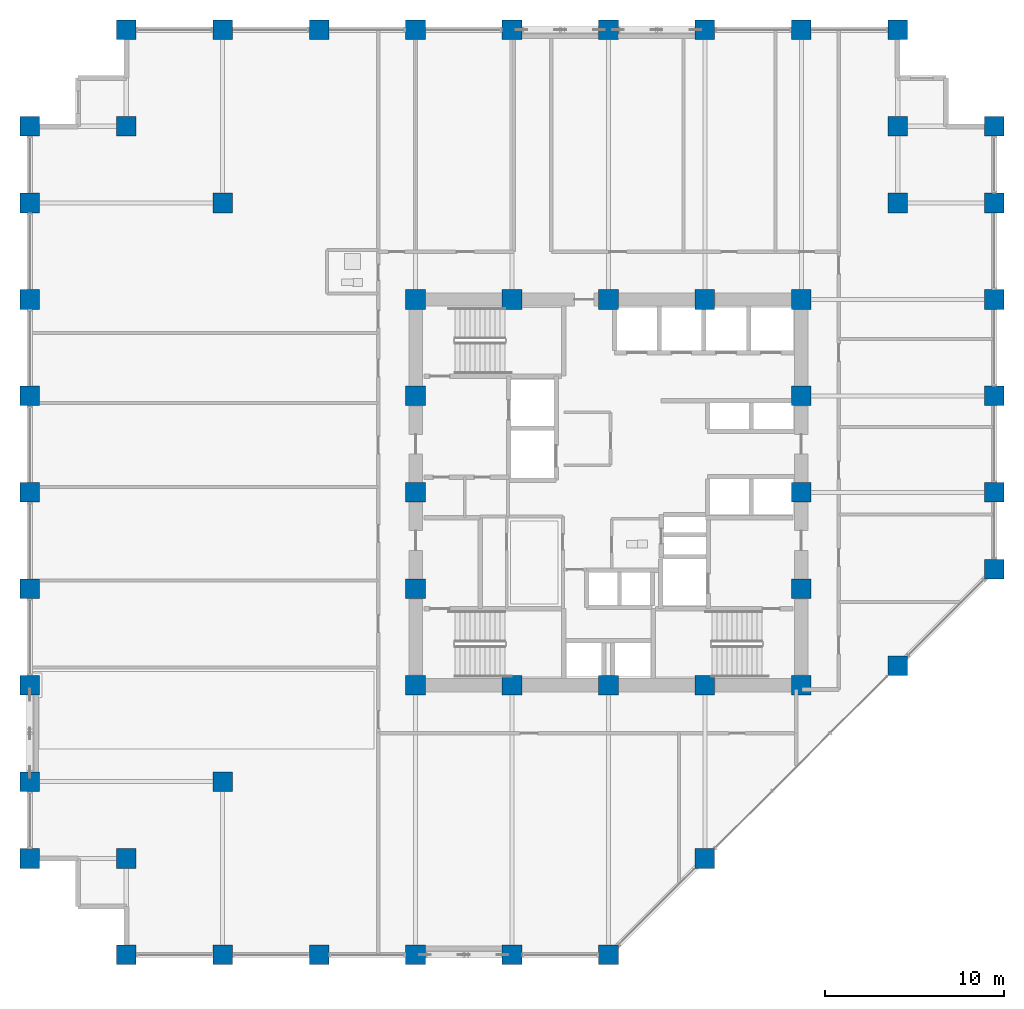
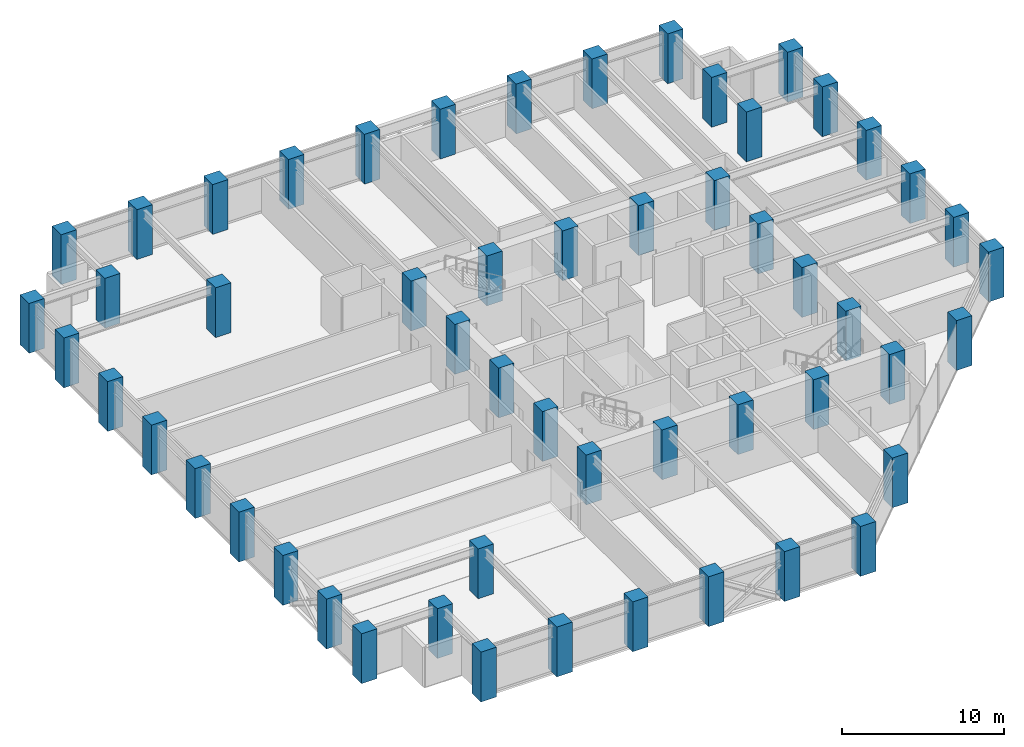
# One storey, part 1 of 25: 54 columns.
"""IFC4 building model written with IfcOpenShell, lengths in metres."""

from ifc_helpers import new_model, si_unit, direction, frame, origin, origin_2d, place, context, subcontext, project, spatial, rectangle, extrude, material, material_profile, profile_set, type_object, element, save


model = new_model("IFC4")

# Units and contexts
model_context = context("Model", 3, precision=1e-05, world=origin(), true_north=direction((0.0, 1.0)))
body_context = subcontext(model_context, "Body", "Model", "MODEL_VIEW")
ifc_project = project(units=[si_unit("LENGTHUNIT", "METRE"), si_unit("AREAUNIT", "SQUARE_METRE"), si_unit("VOLUMEUNIT", "CUBIC_METRE"), si_unit("PLANEANGLEUNIT", "RADIAN"), si_unit("MASSUNIT", "GRAM", prefix="KILO")], contexts=[model_context])

# Site, building, storey
site_placement = place(None, origin())
site = spatial("IfcSite", under=ifc_project, at=site_placement, CompositionType="ELEMENT")
building_placement = place(site_placement, origin())
building = spatial("IfcBuilding", under=site, at=building_placement, Name="Surkhivell Harbour Commons", CompositionType="ELEMENT")
storey_placement = place(building_placement, frame((0.0, 0.0, 109.5)))
storey = spatial("IfcBuildingStorey", under=building, at=storey_placement, Name="L28", CompositionType="ELEMENT", Elevation=109.5)

# Columns
ifc_material = material(Name="Concrete C60/75", Category="concrete")
ifc_material_profile = material_profile(ifc_material, rectangle(XDim=1.10009765625, YDim=1.10009765625, at=origin_2d()), Name="RC-COL-1100x1100")
ifc_profile_set = profile_set([ifc_material_profile], Name="Concrete C60/75")
column_type = type_object("IfcColumnType", Name="COL-TUBE-Z2A", PredefinedType="COLUMN", material=ifc_profile_set)
for number, where, z_axis, x_axis, name in (
    (1, (-32.39990234375, -20.5, 0.0), (0.0, 0.0, 1.0), (1.0, 0.0, 0.0), "L28 Column CT-2A (-32.4,-20.5)"),
    (2, (-32.39990234375, -16.199951171875, 0.0), (0.0, 0.0, 1.0), (1.0, 0.0, 0.0), "L28 Column CT-2A (-32.4,-16.2)"),
    (3, (-32.39990234375, -10.800048828125, 0.0), (0.0, 0.0, 1.0), (1.0, 0.0, 0.0), "L28 Column CT-2A (-32.4,-10.8)"),
    (4, (-32.39990234375, -5.39990234375, 0.0), (0.0, 0.0, 1.0), (1.0, 0.0, 0.0), "L28 Column CT-2A (-32.4,-5.4)"),
    (5, (-32.39990234375, 0.0, 0.0), (0.0, 0.0, 1.0), (1.0, 0.0, 0.0), "L28 Column CT-2A (-32.4,0.0)"),
    (6, (-32.39990234375, 5.39990234375, 0.0), (0.0, 0.0, 1.0), (1.0, 0.0, 0.0), "L28 Column CT-2A (-32.4,5.4)"),
    (7, (-32.39990234375, 10.800048828125, 0.0), (0.0, 0.0, 1.0), (1.0, 0.0, 0.0), "L28 Column CT-2A (-32.4,10.8)"),
    (8, (-32.39990234375, 16.199951171875, 0.0), (0.0, 0.0, 1.0), (1.0, 0.0, 0.0), "L28 Column CT-2A (-32.4,16.2)"),
    (9, (-32.39990234375, 20.5, 0.0), (0.0, 0.0, 1.0), (1.0, 0.0, 0.0), "L28 Column CT-2A (-32.4,20.5)"),
    (10, (-27.0, -25.89990234375, 0.0), (0.0, 0.0, 1.0), (1.0, 0.0, 0.0), "L28 Column CT-2A (-27.0,-25.9)"),
    (11, (-27.0, -20.5, 0.0), (0.0, 0.0, 1.0), (1.0, 0.0, 0.0), "L28 Column CT-2A (-27.0,-20.5)"),
    (12, (-27.0, 20.5, 0.0), (0.0, 0.0, 1.0), (1.0, 0.0, 0.0), "L28 Column CT-2A (-27.0,20.5)"),
    (13, (-27.0, 25.89990234375, 0.0), (0.0, 0.0, 1.0), (1.0, 0.0, 0.0), "L28 Column CT-2A (-27.0,25.9)"),
    (14, (-21.60009765625, -25.89990234375, 0.0), (0.0, 0.0, 1.0), (1.0, 0.0, 0.0), "L28 Column CT-2A (-21.6,-25.9)"),
    (15, (-21.60009765625, -16.199951171875, 0.0), (0.0, 0.0, 1.0), (1.0, 0.0, 0.0), "L28 Column CT-2A (-21.6,-16.2)"),
    (16, (-21.60009765625, 16.199951171875, 0.0), (0.0, 0.0, 1.0), (1.0, 0.0, 0.0), "L28 Column CT-2A (-21.6,16.2)"),
    (17, (-21.60009765625, 25.89990234375, 0.0), (0.0, 0.0, 1.0), (1.0, 0.0, 0.0), "L28 Column CT-2A (-21.6,25.9)"),
    (18, (-16.199951171875, -25.89990234375, 0.0), (0.0, 0.0, 1.0), (1.0, 0.0, 0.0), "L28 Column CT-2A (-16.2,-25.9)"),
    (19, (-16.199951171875, 25.89990234375, 0.0), (0.0, 0.0, 1.0), (1.0, 0.0, 0.0), "L28 Column CT-2A (-16.2,25.9)"),
    (20, (-10.800048828125, -25.89990234375, 0.0), (0.0, 0.0, 1.0), (1.0, 0.0, 0.0), "L28 Column CT-2A (-10.8,-25.9)"),
    (21, (-10.800048828125, -10.800048828125, 0.0), (0.0, 0.0, 1.0), (1.0, 0.0, 0.0), "L28 Column CT-2A (-10.8,-10.8)"),
    (22, (-10.800048828125, -5.39990234375, 0.0), (0.0, 0.0, 1.0), (1.0, 0.0, 0.0), "L28 Column CT-2A (-10.8,-5.4)"),
    (23, (-10.800048828125, 0.0, 0.0), (0.0, 0.0, 1.0), (1.0, 0.0, 0.0), "L28 Column CT-2A (-10.8,0.0)"),
    (24, (-10.800048828125, 5.39990234375, 0.0), (0.0, 0.0, 1.0), (1.0, 0.0, 0.0), "L28 Column CT-2A (-10.8,5.4)"),
    (25, (-10.800048828125, 10.800048828125, 0.0), (0.0, 0.0, 1.0), (1.0, 0.0, 0.0), "L28 Column CT-2A (-10.8,10.8)"),
    (26, (-10.800048828125, 25.89990234375, 0.0), (0.0, 0.0, 1.0), (1.0, 0.0, 0.0), "L28 Column CT-2A (-10.8,25.9)"),
    (27, (-5.39990234375, -25.89990234375, 0.0), (0.0, 0.0, 1.0), (1.0, 0.0, 0.0), "L28 Column CT-2A (-5.4,-25.9)"),
    (28, (-5.39990234375, -10.800048828125, 0.0), (0.0, 0.0, 1.0), (1.0, 0.0, 0.0), "L28 Column CT-2A (-5.4,-10.8)"),
    (29, (-5.39990234375, 10.800048828125, 0.0), (0.0, 0.0, 1.0), (1.0, 0.0, 0.0), "L28 Column CT-2A (-5.4,10.8)"),
    (30, (-5.39990234375, 25.89990234375, 0.0), (0.0, 0.0, 1.0), (1.0, 0.0, 0.0), "L28 Column CT-2A (-5.4,25.9)"),
    (31, (0.0, -25.89990234375, 0.0), (0.0, 0.0, 1.0), (1.0, 0.0, 0.0), "L28 Column CT-2A (-0.0,-25.9)"),
    (32, (0.0, -10.800048828125, 0.0), (0.0, 0.0, 1.0), (1.0, 0.0, 0.0), "L28 Column CT-2A (0.0,-10.8)"),
    (33, (0.0, 10.800048828125, 0.0), (0.0, 0.0, 1.0), (1.0, 0.0, 0.0), "L28 Column CT-2A (0.0,10.8)"),
    (34, (0.0, 25.89990234375, 0.0), (0.0, 0.0, 1.0), (1.0, 0.0, 0.0), "L28 Column CT-2A (-0.0,25.9)"),
    (35, (5.39990234375, -20.5, 0.0), (0.0, 0.0, 1.0), (1.0, 0.0, 0.0), "L28 Column CT-2A (5.4,-20.5)"),
    (36, (5.39990234375, -10.800048828125, 0.0), (0.0, 0.0, 1.0), (1.0, 0.0, 0.0), "L28 Column CT-2A (5.4,-10.8)"),
    (37, (5.39990234375, 10.800048828125, 0.0), (0.0, 0.0, 1.0), (1.0, 0.0, 0.0), "L28 Column CT-2A (5.4,10.8)"),
    (38, (5.39990234375, 25.89990234375, 0.0), (0.0, 0.0, 1.0), (1.0, 0.0, 0.0), "L28 Column CT-2A (5.4,25.9)"),
    (39, (10.800048828125, -10.800048828125, 0.0), (0.0, 0.0, 1.0), (1.0, 0.0, 0.0), "L28 Column CT-2A (10.8,-10.8)"),
    (40, (10.800048828125, -5.39990234375, 0.0), (0.0, 0.0, 1.0), (1.0, 0.0, 0.0), "L28 Column CT-2A (10.8,-5.4)"),
    (41, (10.800048828125, 0.0, 0.0), (0.0, 0.0, 1.0), (1.0, 0.0, 0.0), "L28 Column CT-2A (10.8,0.0)"),
    (42, (10.800048828125, 5.39990234375, 0.0), (0.0, 0.0, 1.0), (1.0, 0.0, 0.0), "L28 Column CT-2A (10.8,5.4)"),
    (43, (10.800048828125, 10.800048828125, 0.0), (0.0, 0.0, 1.0), (1.0, 0.0, 0.0), "L28 Column CT-2A (10.8,10.8)"),
    (44, (10.800048828125, 25.89990234375, 0.0), (0.0, 0.0, 1.0), (1.0, 0.0, 0.0), "L28 Column CT-2A (10.8,25.9)"),
    (45, (16.199951171875, -9.699951171875, 0.0), (0.0, 0.0, 1.0), (1.0, 0.0, 0.0), "L28 Column CT-2A (16.2,-9.7)"),
    (46, (16.199951171875, 16.199951171875, 0.0), (0.0, 0.0, 1.0), (1.0, 0.0, 0.0), "L28 Column CT-2A (16.2,16.2)"),
    (47, (16.199951171875, 20.5, 0.0), (0.0, 0.0, 1.0), (1.0, 0.0, 0.0), "L28 Column CT-2A (16.2,20.5)"),
    (48, (16.199951171875, 25.89990234375, 0.0), (0.0, 0.0, 1.0), (1.0, 0.0, 0.0), "L28 Column CT-2A (16.2,25.9)"),
    (49, (21.60009765625, -4.300048828125, 0.0), (0.0, 0.0, 1.0), (1.0, 0.0, 0.0), "L28 Column CT-2A (21.6,-4.3)"),
    (50, (21.60009765625, 0.0, 0.0), (0.0, 0.0, 1.0), (1.0, 0.0, 0.0), "L28 Column CT-2A (21.6,0.0)"),
    (51, (21.60009765625, 5.39990234375, 0.0), (0.0, 0.0, 1.0), (1.0, 0.0, 0.0), "L28 Column CT-2A (21.6,5.4)"),
    (52, (21.60009765625, 10.800048828125, 0.0), (0.0, 0.0, 1.0), (1.0, 0.0, 0.0), "L28 Column CT-2A (21.6,10.8)"),
    (53, (21.60009765625, 16.199951171875, 0.0), (0.0, 0.0, 1.0), (1.0, 0.0, 0.0), "L28 Column CT-2A (21.6,16.2)"),
    (54, (21.60009765625, 20.5, 0.0), (0.0, 0.0, 1.0), (1.0, 0.0, 0.0), "L28 Column CT-2A (21.6,20.5)"),
):
    element("IfcColumn", number, at=place(storey_placement, frame(where, z_axis=z_axis, x_axis=x_axis)), inside=storey, type_object=column_type, Name=name, PredefinedType="COLUMN", context=body_context, shape_type="SweptSolid", body=[
        extrude(rectangle(XDim=1.10009765625, YDim=1.10009765625, at=origin_2d()), origin(), (0.0, 0.0, 1.0), 3.75),
    ])

save(model, "model.ifc")
